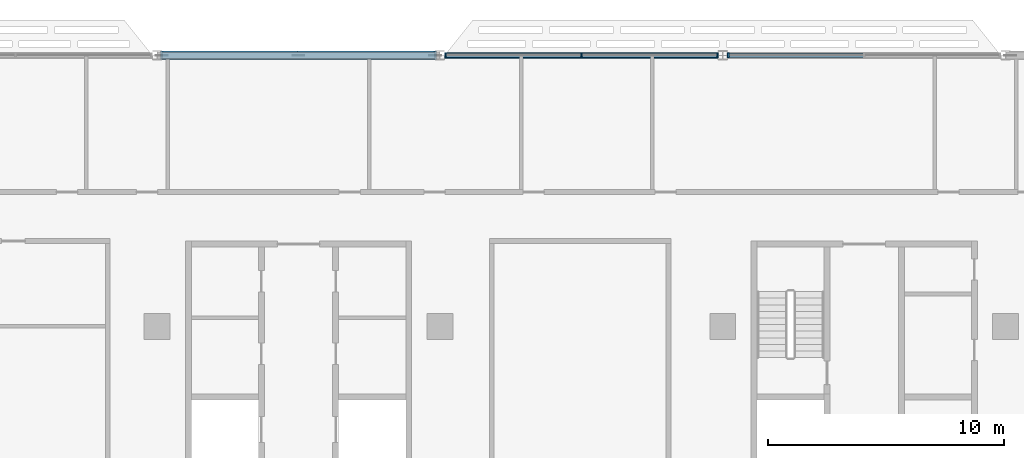
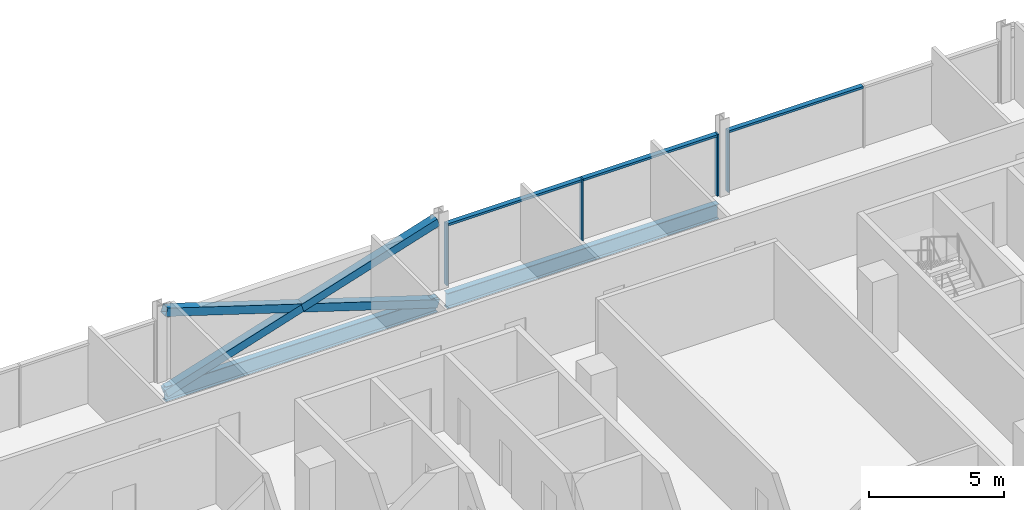
# One storey, part 8 of 29: 10 members, 2 beams, 2 elements without a shape of their own.
"""IFC4 building model written with IfcOpenShell, lengths in metres."""

from ifc_helpers import new_model, si_unit, direction, frame, origin, origin_2d, place, context, subcontext, project, spatial, rectangle, hollow_rectangle, i_section, extrude, material, material_profile, profile_set, type_object, element, aggregate, save


model = new_model("IFC4")

# Units and contexts
model_context = context("Model", 3, precision=1e-05, world=origin(), true_north=direction((0.0, 1.0)))
body_context = subcontext(model_context, "Body", "Model", "MODEL_VIEW")
ifc_project = project(units=[si_unit("LENGTHUNIT", "METRE"), si_unit("AREAUNIT", "SQUARE_METRE"), si_unit("VOLUMEUNIT", "CUBIC_METRE"), si_unit("PLANEANGLEUNIT", "RADIAN"), si_unit("MASSUNIT", "GRAM", prefix="KILO")], contexts=[model_context])

# Site, building, storey
site_placement = place(None, origin())
site = spatial("IfcSite", under=ifc_project, at=site_placement, CompositionType="ELEMENT")
building_placement = place(site_placement, origin())
building = spatial("IfcBuilding", under=site, at=building_placement, Name="Mahtab Terrace Research Tower", CompositionType="ELEMENT")
storey_placement = place(building_placement, frame((0.0, 0.0, 197.699951171875)))
storey = spatial("IfcBuildingStorey", under=building, at=storey_placement, Name="L47", CompositionType="ELEMENT", Elevation=197.699951171875)

# Members
ifc_material_1 = material(Name="Steel ASTM A500 Gr C", Category="steel")
ifc_material_profile_1 = material_profile(ifc_material_1, hollow_rectangle(XDim=0.355712890625, YDim=0.355712890625, WallThickness=0.015869140625, at=origin_2d()), Name="HSS14X14X5/8")
ifc_profile_set_1 = profile_set([ifc_material_profile_1], Name="Steel ASTM A500 Gr C")
member_type_1 = type_object("IfcMemberType", Name="HSS 14x14x5/8 brace XB141458", PredefinedType="BRACE", material=ifc_profile_set_1)
member_1_placement = place(storey_placement, frame((5.79931640625, 23.0, -0.615478515625), z_axis=(-0.953343380425, 0.0, 0.301888057067), x_axis=(0.0, -1.0, 0.0)))
element("IfcMember", 1, at=member_1_placement, inside=storey, type_object=member_type_1, Name="Exoskeleton brace L47 05 a", PredefinedType="BRACE", context=body_context, shape_type="SweptSolid", body=[
    extrude(hollow_rectangle(XDim=0.355712890625, YDim=0.355712890625, WallThickness=0.015869140625, at=origin_2d()), origin(), (0.0, 0.0, 1.0), 12.166259765625),
])
for number, where, z_axis, x_axis, name in (
    (2, (-5.79931640625, 23.0, -0.615478515625), (0.953343380425, 0.0, 0.301888057067), (0.0, 1.0, 0.0), "Exoskeleton brace L47 05 b1"),
    (3, (0.0, 23.0, 1.220947265625), (0.953343380425, 0.0, 0.301888057067), (0.0, 1.0, 0.0), "Exoskeleton brace L47 05 b2"),
):
    element("IfcMember", number, at=place(storey_placement, frame(where, z_axis=z_axis, x_axis=x_axis)), inside=storey, type_object=member_type_1, Name=name, PredefinedType="BRACE", context=body_context, shape_type="SweptSolid", body=[
        extrude(hollow_rectangle(XDim=0.355712890625, YDim=0.355712890625, WallThickness=0.015869140625, at=origin_2d()), origin(), (0.0, 0.0, 1.0), 6.083251953125),
    ])

# Curtain wall, member
ifc_material_2 = material(Name="Laboratory ribbon curtain wall")
curtain_wall_type = type_object("IfcCurtainWallType", Name="Laboratory ribbon curtain wall", PredefinedType="NOTDEFINED", material=ifc_material_2)
curtain_wall_1_placement = place(storey_placement, origin())
curtain_wall_1 = element("IfcCurtainWall", 4, at=curtain_wall_1_placement, inside=storey, type_object=curtain_wall_type, Name="EN.L47.3.5", PredefinedType="NOTDEFINED")
ifc_material_3 = material(Name="Natural anodised aluminium", Category="aluminium")
ifc_material_profile_2 = material_profile(ifc_material_3, rectangle(XDim=0.199951171875, YDim=0.06494140625, at=origin_2d()), Name="MULLION 65x200")
ifc_profile_set_2 = profile_set([ifc_material_profile_2], Name="Natural anodised aluminium")
member_type_2 = type_object("IfcMemberType", Name="Laboratory ribbon curtain wall mullion", PredefinedType="MULLION", material=ifc_profile_set_2)
member_2_placement = place(storey_placement, frame((18.232421875, 23.0, 0.0), z_axis=(0.0, 0.0, 1.0), x_axis=(0.0, -1.0, 0.0)))
member_2 = element("IfcMember", 5, at=member_2_placement, type_object=member_type_2, Name="CWL-6 mullion 3", PredefinedType="MULLION", context=body_context, shape_type="SweptSolid", body=[
    extrude(rectangle(XDim=0.199951171875, YDim=0.06494140625, at=origin_2d()), origin(), (0.0, 0.0, 1.0), 2.78173828125),
])

# Curtain wall, members
curtain_wall_2_placement = place(storey_placement, origin())
curtain_wall_2 = element("IfcCurtainWall", 6, at=curtain_wall_2_placement, inside=storey, type_object=curtain_wall_type, Name="EN.L47.3.6", PredefinedType="NOTDEFINED")
member_3_placement = place(storey_placement, frame((17.767578125, 23.0, 0.0), z_axis=(0.0, 0.0, 1.0), x_axis=(0.0, -1.0, 0.0)))
member_3 = element("IfcMember", 7, at=member_3_placement, type_object=member_type_2, Name="CWL-6 mullion 1", PredefinedType="MULLION", context=body_context, shape_type="SweptSolid", body=[
    extrude(rectangle(XDim=0.199951171875, YDim=0.06494140625, at=origin_2d()), origin(), (0.0, 0.0, 1.0), 2.78173828125),
])
member_4_placement = place(storey_placement, frame((12.0, 23.0, 0.0), z_axis=(0.0, 0.0, 1.0), x_axis=(0.0, -1.0, 0.0)))
member_4 = element("IfcMember", 8, at=member_4_placement, type_object=member_type_2, Name="CWL-6 mullion 2", PredefinedType="MULLION", context=body_context, shape_type="SweptSolid", body=[
    extrude(rectangle(XDim=0.199951171875, YDim=0.06494140625, at=origin_2d()), origin(), (0.0, 0.0, 1.0), 2.78173828125),
])
member_5_placement = place(storey_placement, frame((6.232421875, 23.0, 0.0), z_axis=(0.0, 0.0, 1.0), x_axis=(0.0, -1.0, 0.0)))
member_5 = element("IfcMember", 9, at=member_5_placement, type_object=member_type_2, Name="CWL-6 mullion 3", PredefinedType="MULLION", context=body_context, shape_type="SweptSolid", body=[
    extrude(rectangle(XDim=0.199951171875, YDim=0.06494140625, at=origin_2d()), origin(), (0.0, 0.0, 1.0), 2.78173828125),
])

# Member
ifc_material_profile_3 = material_profile(ifc_material_3, rectangle(XDim=0.199951171875, YDim=0.10009765625, at=origin_2d()), Name="TRANSOM 100x200")
ifc_profile_set_3 = profile_set([ifc_material_profile_3], Name="Natural anodised aluminium")
member_type_3 = type_object("IfcMemberType", Name="Laboratory ribbon curtain wall transom", PredefinedType="USERDEFINED", material=ifc_profile_set_3)
member_6_placement = place(storey_placement, frame((23.967529296875, 23.0, 2.73193359375), z_axis=(-1.0, 0.0, 0.0), x_axis=(0.0, -1.0, 0.0)))
member_6 = element("IfcMember", 10, at=member_6_placement, type_object=member_type_3, Name="CWL-6 transom 2", ObjectType="TRANSOM", PredefinedType="USERDEFINED", context=body_context, shape_type="SweptSolid", body=[
    extrude(rectangle(XDim=0.199951171875, YDim=0.10009765625, at=origin_2d()), origin(), (0.0, 0.0, 1.0), 5.70263671875),
])

aggregate(curtain_wall_1, [member_2, member_6])

member_7_placement = place(storey_placement, frame((17.735107421875, 23.0, 2.73193359375), z_axis=(-1.0, 0.0, 0.0), x_axis=(0.0, -1.0, 0.0)))
member_7 = element("IfcMember", 11, at=member_7_placement, type_object=member_type_3, Name="CWL-6 transom 1", ObjectType="TRANSOM", PredefinedType="USERDEFINED", context=body_context, shape_type="SweptSolid", body=[
    extrude(rectangle(XDim=0.199951171875, YDim=0.10009765625, at=origin_2d()), origin(), (0.0, 0.0, 1.0), 5.70263671875),
])

member_8_placement = place(storey_placement, frame((11.967529296875, 23.0, 2.73193359375), z_axis=(-1.0, 0.0, 0.0), x_axis=(0.0, -1.0, 0.0)))
member_8 = element("IfcMember", 12, at=member_8_placement, type_object=member_type_3, Name="CWL-6 transom 2", ObjectType="TRANSOM", PredefinedType="USERDEFINED", context=body_context, shape_type="SweptSolid", body=[
    extrude(rectangle(XDim=0.199951171875, YDim=0.10009765625, at=origin_2d()), origin(), (0.0, 0.0, 1.0), 5.70263671875),
])

aggregate(curtain_wall_2, [member_3, member_4, member_5, member_7, member_8])

# Beams
ifc_material_4 = material(Name="Steel ASTM A992 Gr 50", Category="steel")
ifc_material_profile_4 = material_profile(ifc_material_4, i_section(OverallWidth=0.25390625, OverallDepth=0.67822265625, WebThickness=0.01171875, FlangeThickness=0.016357421875, at=origin_2d()), Name="W27X84")
ifc_profile_set_4 = profile_set([ifc_material_profile_4], Name="Steel ASTM A992 Gr 50")
beam_type = type_object("IfcBeamType", Name="W27x84 beam BS2784", PredefinedType="BEAM", material=ifc_profile_set_4)
for number, where, z_axis, x_axis, name in (
    (13, (17.79931640625, 23.0, -0.678955078125), (-1.0, 0.0, 0.0), (0.0, -1.0, 0.0), "Spandrel beam L47 04"),
    (14, (5.79931640625, 23.0, -0.678955078125), (-1.0, 0.0, 0.0), (0.0, -1.0, 0.0), "Spandrel beam L47 05"),
):
    element("IfcBeam", number, at=place(storey_placement, frame(where, z_axis=z_axis, x_axis=x_axis)), inside=storey, type_object=beam_type, Name=name, PredefinedType="BEAM", context=body_context, shape_type="SweptSolid", body=[
        extrude(i_section(OverallWidth=0.25390625, OverallDepth=0.67822265625, WebThickness=0.01171875, FlangeThickness=0.016357421875, at=origin_2d()), origin(), (0.0, 0.0, 1.0), 11.5986328125),
    ])

save(model, "model.ifc")
